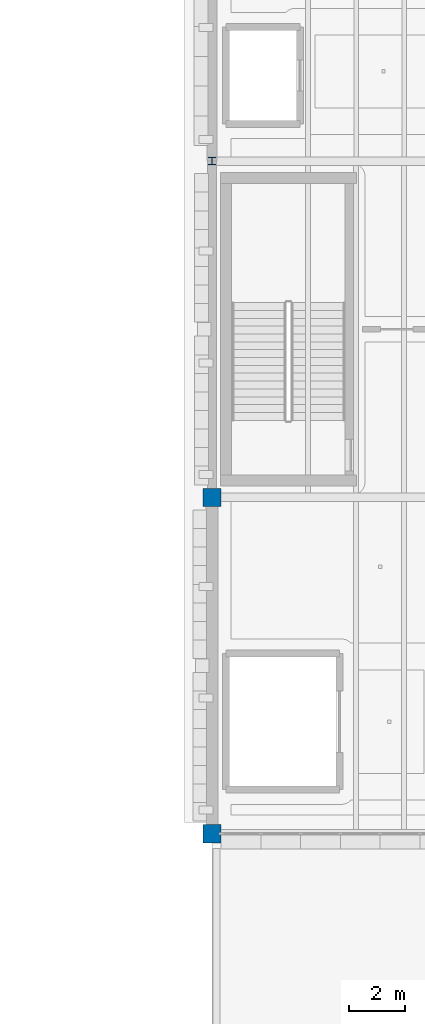
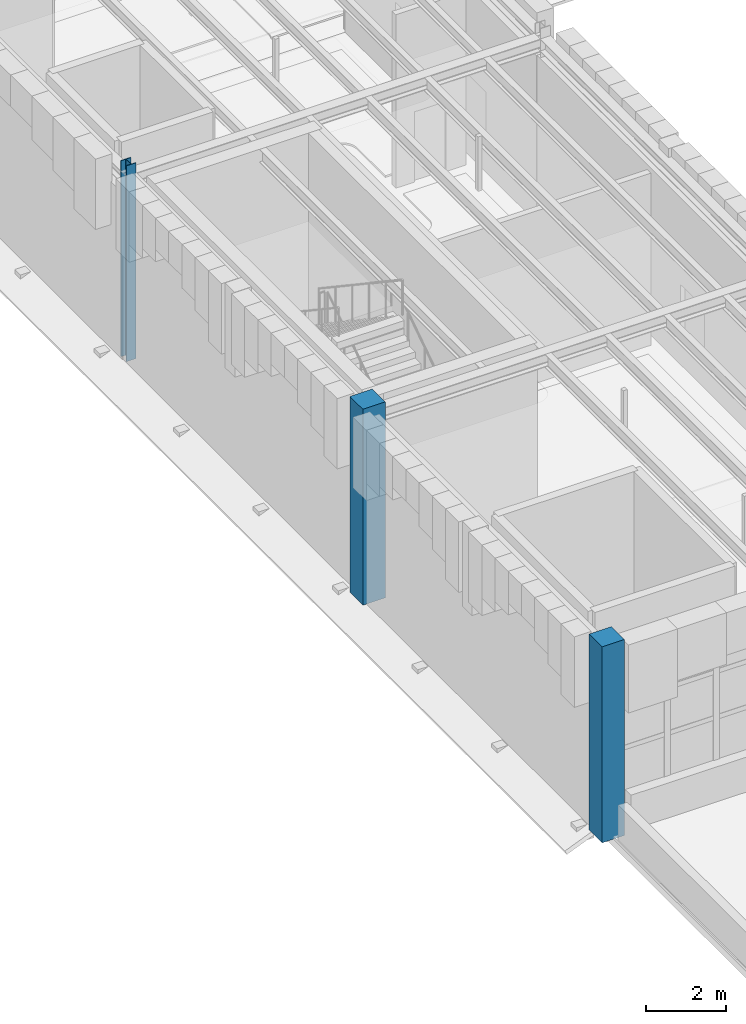
# One storey, part 2 of 83: 3 columns.
"""IFC4 building model written with IfcOpenShell, lengths in metres."""

from ifc_helpers import new_model, si_unit, direction, frame, origin, origin_2d, place, context, subcontext, project, spatial, rectangle, i_section, extrude, material, material_profile, profile_set, type_object, element, save


model = new_model("IFC4")

# Units and contexts
model_context = context("Model", 3, precision=1e-05, world=origin(), true_north=direction((0.0, 1.0)))
body_context = subcontext(model_context, "Body", "Model", "MODEL_VIEW")
ifc_project = project(units=[si_unit("LENGTHUNIT", "METRE"), si_unit("AREAUNIT", "SQUARE_METRE"), si_unit("VOLUMEUNIT", "CUBIC_METRE"), si_unit("PLANEANGLEUNIT", "RADIAN"), si_unit("MASSUNIT", "GRAM", prefix="KILO")], contexts=[model_context])

# Site, building, storey
site_placement = place(None, origin())
site = spatial("IfcSite", under=ifc_project, at=site_placement, CompositionType="ELEMENT")
building_placement = place(site_placement, origin())
building = spatial("IfcBuilding", under=site, at=building_placement, Name="Zlatogorsky Bluff Art Gallery", CompositionType="ELEMENT")
storey_placement = place(building_placement, frame((0.0, 0.0, 10.800048828125)))
storey = spatial("IfcBuildingStorey", under=building, at=storey_placement, Name="L02", CompositionType="ELEMENT", Elevation=10.800048828125)

# Columns
ifc_material_1 = material(Name="Steel S355", Category="steel")
ifc_material_profile_1 = material_profile(ifc_material_1, i_section(OverallWidth=0.280029296875, OverallDepth=0.280029296875, WebThickness=0.010498046875, FlangeThickness=0.01806640625, FilletRadius=0.02392578125, at=origin_2d()), Name="HEB 280")
ifc_profile_set_1 = profile_set([ifc_material_profile_1], Name="Steel S355")
column_type_1 = type_object("IfcColumnType", Name="Column CL-07 HEB 280", PredefinedType="COLUMN", material=ifc_profile_set_1)
column_placement = place(storey_placement, frame((120.0, 74.39990234375, 0.0), z_axis=(0.0, 0.0, 1.0), x_axis=(1.0, 0.0, 0.0)))
element("IfcColumn", 1, at=column_placement, inside=storey, type_object=column_type_1, Name="Column CL-07 L02 L8", PredefinedType="COLUMN", context=body_context, shape_type="SweptSolid", body=[
    extrude(i_section(OverallWidth=0.280029296875, OverallDepth=0.280029296875, WebThickness=0.010498046875, FlangeThickness=0.01806640625, FilletRadius=0.02392578125, at=origin_2d()), origin(), (0.0, 0.0, 1.0), 6.0),
])
ifc_material_2 = material(Name="Concrete C35/45", Category="concrete")
ifc_material_profile_2 = material_profile(ifc_material_2, rectangle(XDim=0.64990234375, YDim=0.64990234375, at=origin_2d()), Name="RC 650x650")
ifc_profile_set_2 = profile_set([ifc_material_profile_2], Name="Concrete C35/45")
column_type_2 = type_object("IfcColumnType", Name="Column CL-14 RC 650x650", PredefinedType="COLUMN", material=ifc_profile_set_2)
for number, where, z_axis, x_axis, name in (
    (2, (120.0, 50.39990234375, 0.0), (0.0, 0.0, 1.0), (1.0, 0.0, 0.0), "Column CL-14 L02 L6"),
    (3, (120.0, 62.39990234375, 0.0), (0.0, 0.0, 1.0), (1.0, 0.0, 0.0), "Column CL-14 L02 L7"),
):
    element("IfcColumn", number, at=place(storey_placement, frame(where, z_axis=z_axis, x_axis=x_axis)), inside=storey, type_object=column_type_2, Name=name, PredefinedType="COLUMN", context=body_context, shape_type="SweptSolid", body=[
        extrude(rectangle(XDim=0.64990234375, YDim=0.64990234375, at=origin_2d()), origin(), (0.0, 0.0, 1.0), 6.0),
    ])

save(model, "model.ifc")
